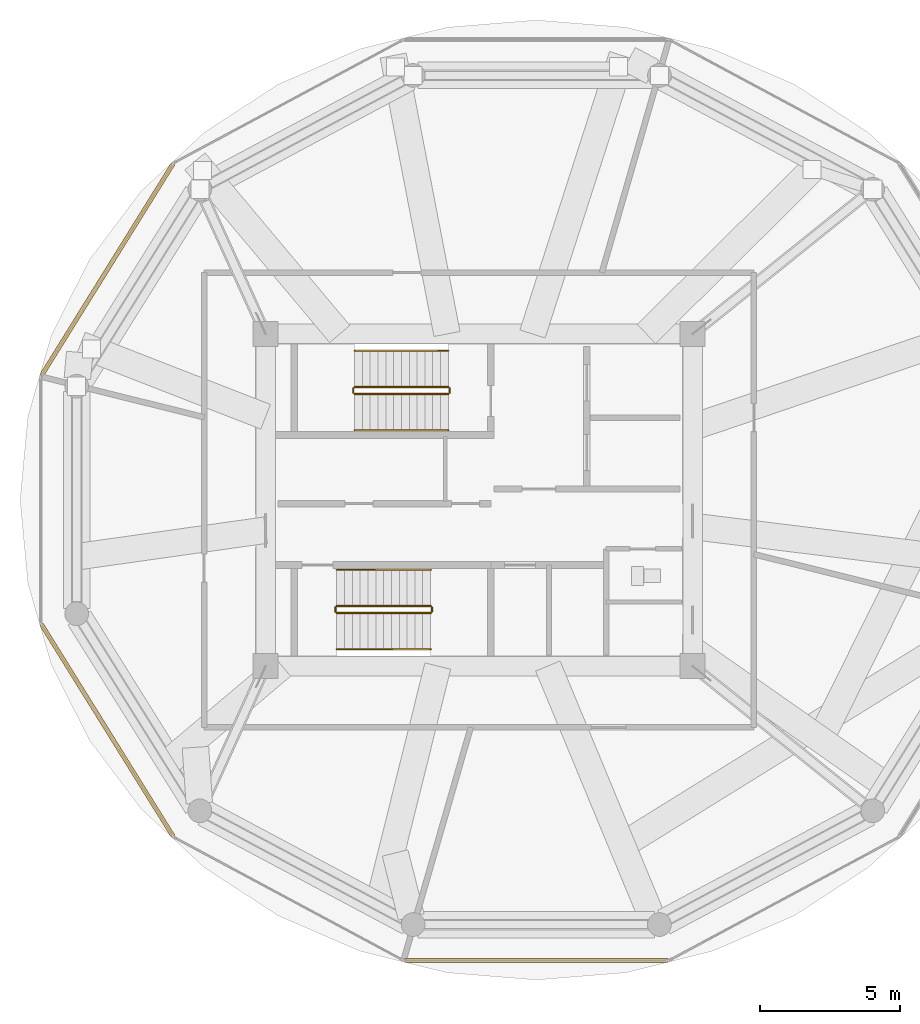
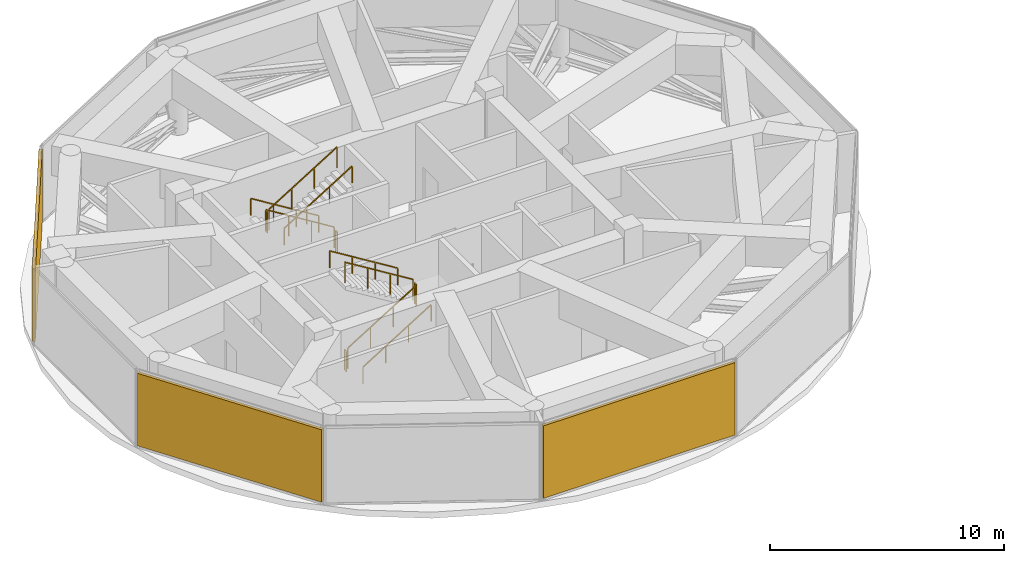
# One storey, part 20 of 23: 12 railings, 3 shading devices.
"""IFC4 building model written with IfcOpenShell, lengths in metres."""

from ifc_helpers import new_model, si_unit, direction, frame, origin, origin_2d, place, context, subcontext, project, spatial, rectangle, extrude, source, transform, mapped, material, type_object, type_shapes, element, save


model = new_model("IFC4")

# Units and contexts
model_context = context("Model", 3, precision=1e-05, world=origin(), true_north=direction((0.0, 1.0)))
body_context = subcontext(model_context, "Body", "Model", "MODEL_VIEW")
ifc_project = project(units=[si_unit("LENGTHUNIT", "METRE"), si_unit("AREAUNIT", "SQUARE_METRE"), si_unit("VOLUMEUNIT", "CUBIC_METRE"), si_unit("PLANEANGLEUNIT", "RADIAN"), si_unit("MASSUNIT", "GRAM", prefix="KILO")], contexts=[model_context])

# Site, building, storey
site_placement = place(None, origin())
site = spatial("IfcSite", under=ifc_project, at=site_placement, CompositionType="ELEMENT")
building_placement = place(site_placement, origin())
building = spatial("IfcBuilding", under=site, at=building_placement, Name="Norrkilde Senior Care Towers", CompositionType="ELEMENT")
storey_placement = place(building_placement, frame((0.0, 0.0, 129.800048828125)))
storey = spatial("IfcBuildingStorey", under=building, at=storey_placement, Name="L40", CompositionType="ELEMENT", Elevation=129.800048828125)

# Railings
ifc_material_1 = material(Name="Stainless Steel", Category="steel")
railing_type_1 = type_object("IfcRailingType", Name="Stair and Terrace Guardrail 1100", PredefinedType="GUARDRAIL", material=ifc_material_1)
railing_1_placement = place(storey_placement, frame((-29.10009765625, 4.050048828125, 0.173095703125)))
element("IfcRailing", 1, at=railing_1_placement, inside=storey, type_object=railing_type_1, Name="L40 ST-W1 stair guard 1", PredefinedType="GUARDRAIL", context=body_context, shape_type="SweptSolid", body=[
    extrude(rectangle(XDim=0.048095703125, YDim=0.048095703125, at=origin_2d()), frame((0.0, 0.0, 1.076171875), z_axis=(-0.850606129759, 0.0, 0.525803396734), x_axis=(0.0, -1.0, 0.0)), (0.0, 0.0, 1.0), 3.949951171875),
    extrude(rectangle(XDim=0.0419921875, YDim=0.0419921875, at=origin_2d()), origin(), (0.0, 0.0, 1.0), 1.050048828125),
    extrude(rectangle(XDim=0.0419921875, YDim=0.0419921875, at=origin_2d()), frame((-1.119873046875, 0.0, 0.6923828125)), (0.0, 0.0, 1.0), 1.050048828125),
    extrude(rectangle(XDim=0.0419921875, YDim=0.0419921875, at=origin_2d()), frame((-2.239990234375, 0.0, 1.384521484375)), (0.0, 0.0, 1.0), 1.050048828125),
    extrude(rectangle(XDim=0.0419921875, YDim=0.0419921875, at=origin_2d()), frame((-3.35986328125, 0.0, 2.076904296875)), (0.0, 0.0, 1.0), 1.050048828125),
])
railing_2_placement = place(storey_placement, frame((-32.510009765625, 4.0, 2.25)))
element("IfcRailing", 2, at=railing_2_placement, inside=storey, type_object=railing_type_1, Name="L40 ST-W1 stair guard 2", PredefinedType="GUARDRAIL", context=body_context, shape_type="SweptSolid", body=[
    extrude(rectangle(XDim=0.048095703125, YDim=0.048095703125, at=origin_2d()), frame((0.0, 0.0, 1.076171875), z_axis=(0.0, -1.0, 0.0), x_axis=(1.0, 0.0, 0.0)), (0.0, 0.0, 1.0), 0.14990234375),
    extrude(rectangle(XDim=0.0419921875, YDim=0.0419921875, at=origin_2d()), origin(), (0.0, 0.0, 1.0), 1.050048828125),
    extrude(rectangle(XDim=0.0419921875, YDim=0.0419921875, at=origin_2d()), frame((0.0, -0.14990234375, 0.0)), (0.0, 0.0, 1.0), 1.050048828125),
])
railing_3_placement = place(storey_placement, frame((-32.4599609375, 3.800048828125, 2.423095703125)))
element("IfcRailing", 3, at=railing_3_placement, inside=storey, type_object=railing_type_1, Name="L40 ST-W1 stair guard 3", PredefinedType="GUARDRAIL", context=body_context, shape_type="SweptSolid", body=[
    extrude(rectangle(XDim=0.048095703125, YDim=0.048095703125, at=origin_2d()), frame((0.0, 0.0, 1.076171875), z_axis=(0.850606129759, 0.0, 0.525803396734), x_axis=(0.0, 1.0, 0.0)), (0.0, 0.0, 1.0), 3.949951171875),
    extrude(rectangle(XDim=0.0419921875, YDim=0.0419921875, at=origin_2d()), origin(), (0.0, 0.0, 1.0), 1.050048828125),
    extrude(rectangle(XDim=0.0419921875, YDim=0.0419921875, at=origin_2d()), frame((1.119873046875, 0.0, 0.6923828125)), (0.0, 0.0, 1.0), 1.050048828125),
    extrude(rectangle(XDim=0.0419921875, YDim=0.0419921875, at=origin_2d()), frame((2.239990234375, 0.0, 1.384521484375)), (0.0, 0.0, 1.0), 1.050048828125),
    extrude(rectangle(XDim=0.0419921875, YDim=0.0419921875, at=origin_2d()), frame((3.35986328125, 0.0, 2.076904296875)), (0.0, 0.0, 1.0), 1.050048828125),
])
railing_4_placement = place(storey_placement, frame((-29.050048828125, 4.0, 0.0)))
element("IfcRailing", 4, at=railing_4_placement, inside=storey, type_object=railing_type_1, Name="L40 ST-W1 stair guard 4", PredefinedType="GUARDRAIL", context=body_context, shape_type="SweptSolid", body=[
    extrude(rectangle(XDim=0.048095703125, YDim=0.048095703125, at=origin_2d()), frame((0.0, 0.0, 1.076171875), z_axis=(0.0, -1.0, 0.0), x_axis=(1.0, 0.0, 0.0)), (0.0, 0.0, 1.0), 0.14990234375),
    extrude(rectangle(XDim=0.0419921875, YDim=0.0419921875, at=origin_2d()), origin(), (0.0, 0.0, 1.0), 1.050048828125),
    extrude(rectangle(XDim=0.0419921875, YDim=0.0419921875, at=origin_2d()), frame((0.0, -0.14990234375, 0.0)), (0.0, 0.0, 1.0), 1.050048828125),
])
railing_5_placement = place(storey_placement, frame((-33.10009765625, -4.050048828125, 0.173095703125)))
element("IfcRailing", 5, at=railing_5_placement, inside=storey, type_object=railing_type_1, Name="L40 ST-W2 stair guard 1", PredefinedType="GUARDRAIL", context=body_context, shape_type="SweptSolid", body=[
    extrude(rectangle(XDim=0.048095703125, YDim=0.048095703125, at=origin_2d()), frame((0.0, 0.0, 1.076171875), z_axis=(0.850623216509, 0.0, 0.525775754039), x_axis=(0.0, 1.0, 0.0)), (0.0, 0.0, 1.0), 3.9501953125),
    extrude(rectangle(XDim=0.0419921875, YDim=0.0419921875, at=origin_2d()), origin(), (0.0, 0.0, 1.0), 1.050048828125),
    extrude(rectangle(XDim=0.0419921875, YDim=0.0419921875, at=origin_2d()), frame((1.1201171875, 0.0, 0.6923828125)), (0.0, 0.0, 1.0), 1.050048828125),
    extrude(rectangle(XDim=0.0419921875, YDim=0.0419921875, at=origin_2d()), frame((2.239990234375, 0.0, 1.384521484375)), (0.0, 0.0, 1.0), 1.050048828125),
    extrude(rectangle(XDim=0.0419921875, YDim=0.0419921875, at=origin_2d()), frame((3.360107421875, 0.0, 2.076904296875)), (0.0, 0.0, 1.0), 1.050048828125),
])
railing_6_placement = place(storey_placement, frame((-29.68994140625, -4.0, 2.25)))
element("IfcRailing", 6, at=railing_6_placement, inside=storey, type_object=railing_type_1, Name="L40 ST-W2 stair guard 2", PredefinedType="GUARDRAIL", context=body_context, shape_type="SweptSolid", body=[
    extrude(rectangle(XDim=0.048095703125, YDim=0.048095703125, at=origin_2d()), frame((0.0, 0.0, 1.076171875), z_axis=(0.0, 1.0, 0.0), x_axis=(-1.0, 0.0, 0.0)), (0.0, 0.0, 1.0), 0.14990234375),
    extrude(rectangle(XDim=0.0419921875, YDim=0.0419921875, at=origin_2d()), origin(), (0.0, 0.0, 1.0), 1.050048828125),
    extrude(rectangle(XDim=0.0419921875, YDim=0.0419921875, at=origin_2d()), frame((0.0, 0.14990234375, 0.0)), (0.0, 0.0, 1.0), 1.050048828125),
])
railing_7_placement = place(storey_placement, frame((-29.739990234375, -3.800048828125, 2.423095703125)))
element("IfcRailing", 7, at=railing_7_placement, inside=storey, type_object=railing_type_1, Name="L40 ST-W2 stair guard 3", PredefinedType="GUARDRAIL", context=body_context, shape_type="SweptSolid", body=[
    extrude(rectangle(XDim=0.048095703125, YDim=0.048095703125, at=origin_2d()), frame((0.0, 0.0, 1.076171875), z_axis=(-0.850623216509, 0.0, 0.525775754039), x_axis=(0.0, -1.0, 0.0)), (0.0, 0.0, 1.0), 3.9501953125),
    extrude(rectangle(XDim=0.0419921875, YDim=0.0419921875, at=origin_2d()), origin(), (0.0, 0.0, 1.0), 1.050048828125),
    extrude(rectangle(XDim=0.0419921875, YDim=0.0419921875, at=origin_2d()), frame((-1.1201171875, 0.0, 0.6923828125)), (0.0, 0.0, 1.0), 1.050048828125),
    extrude(rectangle(XDim=0.0419921875, YDim=0.0419921875, at=origin_2d()), frame((-2.239990234375, 0.0, 1.384521484375)), (0.0, 0.0, 1.0), 1.050048828125),
    extrude(rectangle(XDim=0.0419921875, YDim=0.0419921875, at=origin_2d()), frame((-3.360107421875, 0.0, 2.076904296875)), (0.0, 0.0, 1.0), 1.050048828125),
])
railing_8_placement = place(storey_placement, frame((-33.14990234375, -4.0, 0.0)))
element("IfcRailing", 8, at=railing_8_placement, inside=storey, type_object=railing_type_1, Name="L40 ST-W2 stair guard 4", PredefinedType="GUARDRAIL", context=body_context, shape_type="SweptSolid", body=[
    extrude(rectangle(XDim=0.048095703125, YDim=0.048095703125, at=origin_2d()), frame((0.0, 0.0, 1.076171875), z_axis=(0.0, 1.0, 0.0), x_axis=(-1.0, 0.0, 0.0)), (0.0, 0.0, 1.0), 0.14990234375),
    extrude(rectangle(XDim=0.0419921875, YDim=0.0419921875, at=origin_2d()), origin(), (0.0, 0.0, 1.0), 1.050048828125),
    extrude(rectangle(XDim=0.0419921875, YDim=0.0419921875, at=origin_2d()), frame((0.0, 0.14990234375, 0.0)), (0.0, 0.0, 1.0), 1.050048828125),
])
ifc_material_2 = material(Name="Nordic Ash Timber", Category="wood")
railing_type_2 = type_object("IfcRailingType", Name="Wall and Stair Handrail 900", PredefinedType="HANDRAIL", material=ifc_material_2)
railing_9_placement = place(storey_placement, frame((-29.10009765625, 5.35009765625, 0.173095703125)))
element("IfcRailing", 9, at=railing_9_placement, inside=storey, type_object=railing_type_2, Name="L40 ST-W1 stair handrail 1", PredefinedType="HANDRAIL", context=body_context, shape_type="SweptSolid", body=[
    extrude(rectangle(XDim=0.048095703125, YDim=0.048095703125, at=origin_2d()), frame((0.0, 0.0, 0.8759765625), z_axis=(-0.850606129759, 0.0, 0.525803396734), x_axis=(0.0, -1.0, 0.0)), (0.0, 0.0, 1.0), 3.949951171875),
    extrude(rectangle(XDim=0.0419921875, YDim=0.0419921875, at=origin_2d()), origin(), (0.0, 0.0, 1.0), 0.849853515625),
    extrude(rectangle(XDim=0.0419921875, YDim=0.0419921875, at=origin_2d()), frame((-1.119873046875, 0.0, 0.6923828125)), (0.0, 0.0, 1.0), 0.849853515625),
    extrude(rectangle(XDim=0.0419921875, YDim=0.0419921875, at=origin_2d()), frame((-2.239990234375, 0.0, 1.384521484375)), (0.0, 0.0, 1.0), 0.849853515625),
    extrude(rectangle(XDim=0.0419921875, YDim=0.0419921875, at=origin_2d()), frame((-3.35986328125, 0.0, 2.076904296875)), (0.0, 0.0, 1.0), 0.849853515625),
])
railing_10_placement = place(storey_placement, frame((-32.4599609375, 2.5, 2.423095703125)))
element("IfcRailing", 10, at=railing_10_placement, inside=storey, type_object=railing_type_2, Name="L40 ST-W1 stair handrail 2", PredefinedType="HANDRAIL", context=body_context, shape_type="SweptSolid", body=[
    extrude(rectangle(XDim=0.048095703125, YDim=0.048095703125, at=origin_2d()), frame((0.0, 0.0, 0.8759765625), z_axis=(0.850606129759, 0.0, 0.525803396734), x_axis=(0.0, 1.0, 0.0)), (0.0, 0.0, 1.0), 3.949951171875),
    extrude(rectangle(XDim=0.0419921875, YDim=0.0419921875, at=origin_2d()), origin(), (0.0, 0.0, 1.0), 0.849853515625),
    extrude(rectangle(XDim=0.0419921875, YDim=0.0419921875, at=origin_2d()), frame((1.119873046875, 0.0, 0.6923828125)), (0.0, 0.0, 1.0), 0.849853515625),
    extrude(rectangle(XDim=0.0419921875, YDim=0.0419921875, at=origin_2d()), frame((2.239990234375, 0.0, 1.384521484375)), (0.0, 0.0, 1.0), 0.849853515625),
    extrude(rectangle(XDim=0.0419921875, YDim=0.0419921875, at=origin_2d()), frame((3.35986328125, 0.0, 2.076904296875)), (0.0, 0.0, 1.0), 0.849853515625),
])
railing_11_placement = place(storey_placement, frame((-33.10009765625, -5.35009765625, 0.173095703125)))
element("IfcRailing", 11, at=railing_11_placement, inside=storey, type_object=railing_type_2, Name="L40 ST-W2 stair handrail 1", PredefinedType="HANDRAIL", context=body_context, shape_type="SweptSolid", body=[
    extrude(rectangle(XDim=0.048095703125, YDim=0.048095703125, at=origin_2d()), frame((0.0, 0.0, 0.8759765625), z_axis=(0.850623216509, 0.0, 0.525775754039), x_axis=(0.0, 1.0, 0.0)), (0.0, 0.0, 1.0), 3.9501953125),
    extrude(rectangle(XDim=0.0419921875, YDim=0.0419921875, at=origin_2d()), origin(), (0.0, 0.0, 1.0), 0.849853515625),
    extrude(rectangle(XDim=0.0419921875, YDim=0.0419921875, at=origin_2d()), frame((1.1201171875, 0.0, 0.6923828125)), (0.0, 0.0, 1.0), 0.849853515625),
    extrude(rectangle(XDim=0.0419921875, YDim=0.0419921875, at=origin_2d()), frame((2.239990234375, 0.0, 1.384521484375)), (0.0, 0.0, 1.0), 0.849853515625),
    extrude(rectangle(XDim=0.0419921875, YDim=0.0419921875, at=origin_2d()), frame((3.360107421875, 0.0, 2.076904296875)), (0.0, 0.0, 1.0), 0.849853515625),
])
railing_12_placement = place(storey_placement, frame((-29.739990234375, -2.5, 2.423095703125)))
element("IfcRailing", 12, at=railing_12_placement, inside=storey, type_object=railing_type_2, Name="L40 ST-W2 stair handrail 2", PredefinedType="HANDRAIL", context=body_context, shape_type="SweptSolid", body=[
    extrude(rectangle(XDim=0.048095703125, YDim=0.048095703125, at=origin_2d()), frame((0.0, 0.0, 0.8759765625), z_axis=(-0.850623216509, 0.0, 0.525775754039), x_axis=(0.0, -1.0, 0.0)), (0.0, 0.0, 1.0), 3.9501953125),
    extrude(rectangle(XDim=0.0419921875, YDim=0.0419921875, at=origin_2d()), origin(), (0.0, 0.0, 1.0), 0.849853515625),
    extrude(rectangle(XDim=0.0419921875, YDim=0.0419921875, at=origin_2d()), frame((-1.1201171875, 0.0, 0.6923828125)), (0.0, 0.0, 1.0), 0.849853515625),
    extrude(rectangle(XDim=0.0419921875, YDim=0.0419921875, at=origin_2d()), frame((-2.239990234375, 0.0, 1.384521484375)), (0.0, 0.0, 1.0), 0.849853515625),
    extrude(rectangle(XDim=0.0419921875, YDim=0.0419921875, at=origin_2d()), frame((-3.360107421875, 0.0, 2.076904296875)), (0.0, 0.0, 1.0), 0.849853515625),
])

# Shading devices
ifc_material_3 = material(Name="Anodised Aluminium", Category="aluminium")
shading_device_type = type_object("IfcShadingDeviceType", Name="Plant and Crown Acoustic Louvre Screen", PredefinedType="JALOUSIE", material=ifc_material_3)
shared_shape_1 = source(origin(), body_context, "Body", "SweptSolid", [
    extrude(rectangle(XDim=8.93408203125, YDim=0.14990234375, at=origin_2d()), origin(), (0.0, 0.0, 1.0), 3.780029296875),
])
for number, where, z_axis, x_axis, name in (
    (13, (-41.3251953125, 8.2490234375, 0.14990234375), (0.0, 0.0, 1.0), (0.527733228002, 0.849410171862, 0.0), "L40 Plant Acoustic Louvre Screen W-04"),
    (14, (-41.3251953125, -8.2490234375, 0.14990234375), (0.0, 0.0, 1.0), (-0.527733228002, 0.849410171862, 0.0), "L40 Plant Acoustic Louvre Screen W-06"),
):
    element("IfcShadingDevice", number, at=place(storey_placement, frame(where, z_axis=z_axis, x_axis=x_axis)), inside=storey, type_object=shading_device_type, Name=name, PredefinedType="JALOUSIE", context=body_context, shape_type="MappedRepresentation", body=[
        mapped(shared_shape_1, transform((0.0, 0.0, 0.0), x_axis=(1.0, 0.0, 0.0), y_axis=(0.0, 1.0, 0.0), z_axis=(0.0, 0.0, 1.0), scale=1.0)),
    ])
shared_shape_2 = source(origin(), body_context, "Body", "SweptSolid", [
    extrude(rectangle(XDim=9.43408203125, YDim=0.14990234375, at=origin_2d()), origin(), (0.0, 0.0, 1.0), 3.780029296875),
])
type_shapes(shading_device_type, [shared_shape_1, shared_shape_2])
shading_device_placement = place(storey_placement, frame((-25.949951171875, -16.498046875, 0.14990234375), z_axis=(0.0, 0.0, 1.0), x_axis=(-1.0, 0.0, 0.0)))
element("IfcShadingDevice", 15, at=shading_device_placement, inside=storey, type_object=shading_device_type, Name="L40 Plant Acoustic Louvre Screen W-08", PredefinedType="JALOUSIE", context=body_context, shape_type="MappedRepresentation", body=[
    mapped(shared_shape_2, transform((0.0, 0.0, 0.0), x_axis=(1.0, 0.0, 0.0), y_axis=(0.0, 1.0, 0.0), z_axis=(0.0, 0.0, 1.0), scale=1.0)),
])

save(model, "model.ifc")
